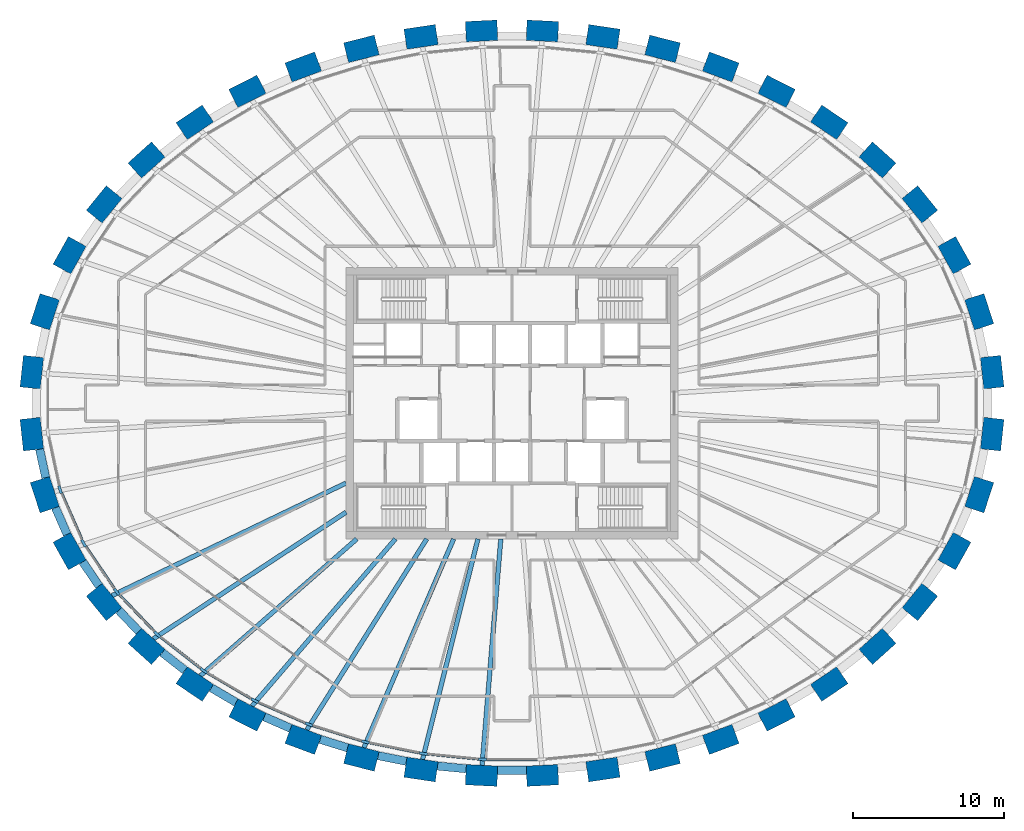
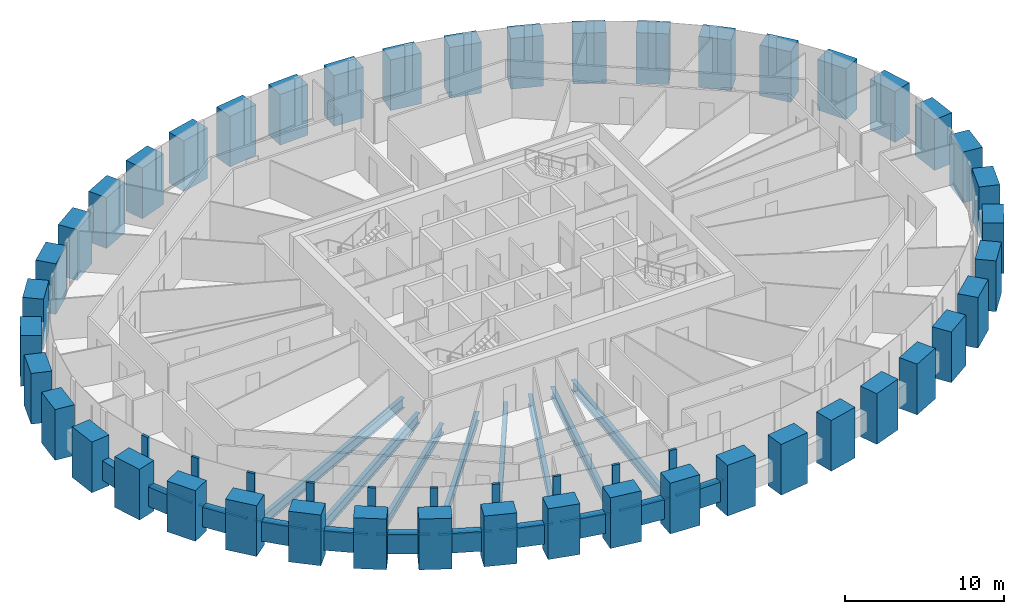
# One storey, part 1 of 12: 44 columns, 20 members, 19 beams, 1 element without a shape of its own.
"""IFC4 building model written with IfcOpenShell, lengths in metres."""

import ifcopenshell
import ifcopenshell.guid

model = None  # the IFC model being written
_history = None  # IfcOwnerHistory: only IFC2X3 demands one
_inside = {}  # id of a spatial element -> (the spatial element, [elements in it])
_under = {}  # id of a project, library or spatial element -> (it, [spatial elements below it])
_declared = {}  # id of a project -> (the project, [libraries it declares])
_typed = {}  # id of a type object -> (the type object, [elements of that type])
_made_of = {}  # id of a material, layer set ... -> (it, [elements and type objects made of it])


def new_model(schema):
    """Start an empty IFC model of exactly this schema.

    Asked for "IFC4X3", IfcOpenShell would pick the latest addendum, in which some entities
    have other attributes; the version numbers below select the first issue.
    IFC2X3 requires an IfcOwnerHistory on every rooted entity: one is made here for all.
    """
    global model, _history
    if schema == "IFC4X3":
        model = ifcopenshell.file(schema_version=(4, 3, 0, 0))
    else:
        model = ifcopenshell.file(schema=schema)
    _inside.clear()
    _under.clear()
    _declared.clear()
    _typed.clear()
    _made_of.clear()
    _history = None
    if model.schema == "IFC2X3":
        org = make("IfcOrganization", Name="unknown")
        user = make(
            "IfcPersonAndOrganization",
            ThePerson=make("IfcPerson", FamilyName="unknown"),
            TheOrganization=org,
        )
        app = make(
            "IfcApplication",
            ApplicationDeveloper=org,
            Version="unknown",
            ApplicationFullName="unknown",
            ApplicationIdentifier="unknown",
        )
        _history = make(
            "IfcOwnerHistory",
            OwningUser=user,
            OwningApplication=app,
            ChangeAction="ADDED",
            CreationDate=0,
        )
    return model


def make(cls, **values):
    """One entity of the class cls with the attributes given. An attribute that is None is left unset."""
    return model.create_entity(
        cls, **{name: value for name, value in values.items() if value is not None}
    )


def rooted(cls, **values):
    """An entity with a GlobalId (a new one), such as an element, a storey or a relation."""
    return make(cls, GlobalId=ifcopenshell.guid.new(), OwnerHistory=_history, **values)


def si_unit(unit_type, name, prefix=None):
    """IfcSIUnit, for example si_unit("LENGTHUNIT", "METRE", prefix="MILLI")."""
    return make("IfcSIUnit", UnitType=unit_type, Prefix=prefix, Name=name)


def assignment(units):
    """IfcUnitAssignment: the units of a project."""
    return None if units is None else make("IfcUnitAssignment", Units=units)


def point(xyz):
    """IfcCartesianPoint."""
    return None if xyz is None else make("IfcCartesianPoint", Coordinates=xyz)


def direction(xyz):
    """IfcDirection."""
    return None if xyz is None else make("IfcDirection", DirectionRatios=xyz)


def frame(location, z_axis=None, x_axis=None):
    """IfcAxis2Placement3D, a coordinate frame: its origin and axes. An axis left out is left unset."""
    return make(
        "IfcAxis2Placement3D",
        Location=point(location),
        Axis=direction(z_axis),
        RefDirection=direction(x_axis),
    )


def frame_2d(location, x_axis=None):
    """IfcAxis2Placement2D, a coordinate frame in the plane: its origin and x axis."""
    return make(
        "IfcAxis2Placement2D", Location=point(location), RefDirection=direction(x_axis)
    )


def origin():
    """The frame at (0, 0, 0) with its axes left unset."""
    return frame((0.0, 0.0, 0.0))


def origin_2d():
    """The frame at (0, 0) in the plane with its x axis left unset."""
    return frame_2d((0.0, 0.0))


def place(relative_to, where):
    """IfcLocalPlacement: puts the frame where relative to a parent placement (None: the world)."""
    return make(
        "IfcLocalPlacement", PlacementRelTo=relative_to, RelativePlacement=where
    )


def context(
    kind, dimensions, precision=None, world=None, true_north=None, identifier=None
):
    """IfcGeometricRepresentationContext, for example the 3D "Model" context."""
    return make(
        "IfcGeometricRepresentationContext",
        ContextIdentifier=identifier,
        ContextType=kind,
        CoordinateSpaceDimension=dimensions,
        Precision=precision,
        WorldCoordinateSystem=world,
        TrueNorth=true_north,
    )


def subcontext(parent, identifier, kind, view, scale=None):
    """IfcGeometricRepresentationSubContext, for example "Body" below "Model"."""
    return make(
        "IfcGeometricRepresentationSubContext",
        ContextIdentifier=identifier,
        ContextType=kind,
        ParentContext=parent,
        TargetScale=scale,
        TargetView=view,
    )


def project(units=None, contexts=None):
    """IfcProject with its units and contexts."""
    return rooted(
        "IfcProject",
        Name="project",
        RepresentationContexts=contexts,
        UnitsInContext=assignment(units),
    )


def spatial(cls, under=None, at=None, **own):
    """A site, building, storey or space (cls), placed at a placement, below another one or the project."""
    s = rooted(cls, ObjectPlacement=at, **own)
    if under is not None:
        _under.setdefault(under.id(), (under, []))[1].append(s)
    return s


def profile(cls, at=None, kind="AREA", **sizes):
    """A parametric profile (cls). Its sizes go by their IFC names, for example OverallWidth=200.0."""
    return make(cls, ProfileType=kind, Position=at, **sizes)


def rectangle(**sizes):
    """IfcRectangleProfileDef."""
    return profile("IfcRectangleProfileDef", **sizes)


def i_section(**sizes):
    """IfcIShapeProfileDef."""
    return profile("IfcIShapeProfileDef", **sizes)


def extrude(swept, where, along, depth):
    """IfcExtrudedAreaSolid: the profile swept, set in the frame where, extruded along a direction by depth."""
    return make(
        "IfcExtrudedAreaSolid",
        SweptArea=swept,
        Position=where,
        ExtrudedDirection=direction(along),
        Depth=depth,
    )


def shape(context_of_items, identifier, shape_type, items):
    """IfcShapeRepresentation: the items that make up one representation, for example the "Body"."""
    return make(
        "IfcShapeRepresentation",
        ContextOfItems=context_of_items,
        RepresentationIdentifier=identifier,
        RepresentationType=shape_type,
        Items=items,
    )


def source(mapping_origin, context_of_items, identifier, shape_type, items):
    """IfcRepresentationMap: a shape defined once, which mapped items show again and again."""
    return make(
        "IfcRepresentationMap",
        MappingOrigin=mapping_origin,
        MappedRepresentation=shape(context_of_items, identifier, shape_type, items),
    )


def transform(
    local_origin,
    x_axis=None,
    y_axis=None,
    z_axis=None,
    scale=None,
    scale2=None,
    scale3=None,
    uniform=True,
):
    """IfcCartesianTransformationOperator3D, or its non-uniform kind. x_axis, y_axis, z_axis: its Axis1, 2, 3."""
    if uniform:
        return make(
            "IfcCartesianTransformationOperator3D",
            Axis1=direction(x_axis),
            Axis2=direction(y_axis),
            LocalOrigin=point(local_origin),
            Scale=scale,
            Axis3=direction(z_axis),
        )
    return make(
        "IfcCartesianTransformationOperator3DnonUniform",
        Axis1=direction(x_axis),
        Axis2=direction(y_axis),
        LocalOrigin=point(local_origin),
        Scale=scale,
        Axis3=direction(z_axis),
        Scale2=scale2,
        Scale3=scale3,
    )


def mapped(mapping_source, mapping_target):
    """IfcMappedItem: shows the shape of a source again, moved by a transform."""
    return make(
        "IfcMappedItem", MappingSource=mapping_source, MappingTarget=mapping_target
    )


def material(Name=None, Category=None):
    """IfcMaterial."""
    return make("IfcMaterial", Name=Name, Category=Category)


def material_profile(
    of_material, cross_section, Name=None, Category=None, Priority=None
):
    """IfcMaterialProfile: a cross section and its material."""
    return make(
        "IfcMaterialProfile",
        Name=Name,
        Material=of_material,
        Profile=cross_section,
        Priority=Priority,
        Category=Category,
    )


def profile_set(profiles, Name=None, composite=None):
    """IfcMaterialProfileSet."""
    return make(
        "IfcMaterialProfileSet",
        Name=Name,
        MaterialProfiles=profiles,
        CompositeProfile=composite,
    )


def made_of(thing, what):
    """Note that an element or type object is made of a material, layer set ...; save() writes the relation."""
    if what is not None:
        _made_of.setdefault(what.id(), (what, []))[1].append(thing)
    return thing


def type_object(cls, material=None, **own):
    """A type object (cls), such as IfcWallType, which elements share."""
    return made_of(rooted(cls, **own), material)


def element(
    cls,
    number,
    at=None,
    inside=None,
    cuts=None,
    type_object=None,
    material=None,
    context=None,
    identifier="Body",
    shape_type=None,
    held_by="IfcProductDefinitionShape",
    body=None,
    shapes=None,
    **own,
):
    """One element of the class cls, such as IfcWall. Its Tag is "e" and its number.

    at: its placement. inside: the storey or other place that contains it. cuts: it is an
    opening in that element (IfcRelVoidsElement). A single representation is given by context,
    identifier, shape_type and body (its items); several are given by shapes. held_by: the class
    of the entity that holds the representations. save() writes the other relations.
    """
    e = rooted(cls, Tag="e%d" % number, ObjectPlacement=at, **own)
    if body is not None:
        shapes = [shape(context, identifier, shape_type, body)]
    if shapes is not None:
        e.Representation = make(held_by, Representations=shapes)
    if inside is not None:
        _inside.setdefault(inside.id(), (inside, []))[1].append(e)
    if cuts is not None:
        rooted(
            "IfcRelVoidsElement", RelatingBuildingElement=cuts, RelatedOpeningElement=e
        )
    if type_object is not None:
        _typed.setdefault(type_object.id(), (type_object, []))[1].append(e)
    return made_of(e, material)


def aggregate(whole, parts):
    """IfcRelAggregates: a whole, such as a stair, and the parts it consists of."""
    return rooted("IfcRelAggregates", RelatingObject=whole, RelatedObjects=parts)


def save(model, path):
    """Write the relations noted so far, then the file.

    IfcRelAggregates (storeys below a building ...), IfcRelContainedInSpatialStructure (elements
    in a storey), IfcRelDefinesByType, IfcRelAssociatesMaterial and IfcRelDeclares: one each for
    every whole, place, type object, material and project.
    """
    for whole, parts in _under.values():
        aggregate(whole, parts)
    for where, things in _inside.values():
        rooted(
            "IfcRelContainedInSpatialStructure",
            RelatedElements=things,
            RelatingStructure=where,
        )
    for kind, things in _typed.values():
        rooted("IfcRelDefinesByType", RelatedObjects=things, RelatingType=kind)
    for what, things in _made_of.values():
        rooted("IfcRelAssociatesMaterial", RelatedObjects=things, RelatingMaterial=what)
    for by, libraries in _declared.values():
        rooted("IfcRelDeclares", RelatingContext=by, RelatedDefinitions=libraries)
    model.write(path)


model = new_model("IFC4")

# Units and contexts
model_context = context("Model", 3, precision=1e-05, world=origin(), true_north=direction((0.0, 1.0)))
body_context = subcontext(model_context, "Body", "Model", "MODEL_VIEW")
ifc_project = project(units=[si_unit("LENGTHUNIT", "METRE"), si_unit("AREAUNIT", "SQUARE_METRE"), si_unit("VOLUMEUNIT", "CUBIC_METRE"), si_unit("PLANEANGLEUNIT", "RADIAN"), si_unit("MASSUNIT", "GRAM", prefix="KILO")], contexts=[model_context])

# Site, building, storey
site_placement = place(None, origin())
site = spatial("IfcSite", under=ifc_project, at=site_placement, CompositionType="ELEMENT")
building_placement = place(site_placement, origin())
building = spatial("IfcBuilding", under=site, at=building_placement, Name="Embergate Tower", CompositionType="ELEMENT")
storey_placement = place(building_placement, frame((0.0, 0.0, 281.199951171875)))
storey = spatial("IfcBuildingStorey", under=building, at=storey_placement, Name="L65", CompositionType="ELEMENT", Elevation=281.199951171875)

# Columns
ifc_material_1 = material(Name="Concrete C60", Category="concrete")
ifc_material_profile_1 = material_profile(ifc_material_1, rectangle(XDim=1.35009765625, YDim=2.10009765625, at=origin_2d()), Name="RC 1350x2100")
ifc_profile_set_1 = profile_set([ifc_material_profile_1], Name="Concrete C60")
column_type = type_object("IfcColumnType", Name="Ring column RC 1350x2100 C60", PredefinedType="COLUMN", material=ifc_profile_set_1)
shared_shape_1 = source(origin(), body_context, "Body", "SweptSolid", [
    extrude(rectangle(XDim=1.35009765625, YDim=2.10009765625, at=origin_2d()), origin(), (0.0, 0.0, 1.0), 3.89990234375),
])
for number, where, z_axis, x_axis, name in (
    (1, (31.837890625, 2.052001953125, -1.39990234375), (0.0, 0.0, 1.0), (0.99428589498, 0.106749983816, 0.0), "COL-L65-00"),
    (2, (30.97607421875, 6.06103515625, -1.39990234375), (0.0, 0.0, 1.0), (0.950754033697, 0.309946394413, 0.0), "COL-L65-01"),
    (3, (29.33203125, 9.80810546875, -1.39990234375), (0.0, 0.0, 1.0), (0.873491969053, 0.486838556403, 0.0), "COL-L65-02"),
    (4, (27.0390625, 13.180908203125, -1.39990234375), (0.0, 0.0, 1.0), (0.775914301615, 0.630838328377, 0.0), "COL-L65-03"),
    (5, (24.23095703125, 16.125, -1.39990234375), (0.0, 0.0, 1.0), (0.669208424634, 0.74307475021, 0.0), "COL-L65-04"),
    (6, (21.032958984375, 18.6220703125, -1.39990234375), (0.0, 0.0, 1.0), (0.560393279442, 0.828226643109, 0.0), "COL-L65-05"),
    (7, (17.54296875, 20.674072265625, -1.39990234375), (0.0, 0.0, 1.0), (0.452994952881, 0.891513080478, 0.0), "COL-L65-06"),
    (8, (13.839111328125, 22.29296875, -1.39990234375), (0.0, 0.0, 1.0), (0.348343015724, 0.93736713373, 0.0), "COL-L65-07"),
    (9, (9.98388671875, 23.493896484375, -1.39990234375), (0.0, 0.0, 1.0), (0.246491603437, 0.969144926951, 0.0), "COL-L65-08"),
    (10, (6.029052734375, 24.287109375, -1.39990234375), (0.0, 0.0, 1.0), (0.146929011949, 0.989147039346, 0.0), "COL-L65-09"),
    (11, (2.01611328125, 24.681884765625, -1.39990234375), (0.0, 0.0, 1.0), (0.048814904854, 0.998807841912, 0.0), "COL-L65-10"),
    (12, (-2.01611328125, 24.681884765625, -1.39990234375), (0.0, 0.0, 1.0), (-0.048814904854, 0.998807841912, 0.0), "COL-L65-11"),
    (13, (-6.029052734375, 24.287109375, -1.39990234375), (0.0, 0.0, 1.0), (-0.146929011949, 0.989147039346, 0.0), "COL-L65-12"),
    (14, (-9.98388671875, 23.493896484375, -1.39990234375), (0.0, 0.0, 1.0), (-0.246491603437, 0.969144926951, 0.0), "COL-L65-13"),
    (15, (-13.839111328125, 22.29296875, -1.39990234375), (0.0, 0.0, 1.0), (-0.348343015724, 0.93736713373, 0.0), "COL-L65-14"),
    (16, (-17.54296875, 20.674072265625, -1.39990234375), (0.0, 0.0, 1.0), (-0.452994952881, 0.891513080478, 0.0), "COL-L65-15"),
    (17, (-21.032958984375, 18.6220703125, -1.39990234375), (0.0, 0.0, 1.0), (-0.560393279442, 0.828226643109, 0.0), "COL-L65-16"),
    (18, (-24.23095703125, 16.125, -1.39990234375), (0.0, 0.0, 1.0), (-0.669208424634, 0.74307475021, 0.0), "COL-L65-17"),
    (19, (-27.0390625, 13.180908203125, -1.39990234375), (0.0, 0.0, 1.0), (-0.775914301615, 0.630838328377, 0.0), "COL-L65-18"),
    (20, (-29.33203125, 9.80810546875, -1.39990234375), (0.0, 0.0, 1.0), (-0.873491969053, 0.486838556403, 0.0), "COL-L65-19"),
    (21, (-30.97607421875, 6.06103515625, -1.39990234375), (0.0, 0.0, 1.0), (-0.950754033697, 0.309946394413, 0.0), "COL-L65-20"),
    (22, (-31.837890625, 2.052001953125, -1.39990234375), (0.0, 0.0, 1.0), (-0.99428589498, 0.106749983816, 0.0), "COL-L65-21"),
    (23, (-31.837890625, -2.052001953125, -1.39990234375), (0.0, 0.0, 1.0), (-0.99428589498, -0.106749983816, 0.0), "COL-L65-22"),
    (24, (-30.97607421875, -6.06103515625, -1.39990234375), (0.0, 0.0, 1.0), (-0.950754033697, -0.309946394413, 0.0), "COL-L65-23"),
    (25, (-29.33203125, -9.80810546875, -1.39990234375), (0.0, 0.0, 1.0), (-0.873491969053, -0.486838556403, 0.0), "COL-L65-24"),
    (26, (-27.0390625, -13.180908203125, -1.39990234375), (0.0, 0.0, 1.0), (-0.775914301615, -0.630838328377, 0.0), "COL-L65-25"),
    (27, (-24.23095703125, -16.125, -1.39990234375), (0.0, 0.0, 1.0), (-0.669208424634, -0.74307475021, 0.0), "COL-L65-26"),
    (28, (-21.032958984375, -18.6220703125, -1.39990234375), (0.0, 0.0, 1.0), (-0.560393279442, -0.828226643109, 0.0), "COL-L65-27"),
    (29, (-17.54296875, -20.674072265625, -1.39990234375), (0.0, 0.0, 1.0), (-0.452994952881, -0.891513080478, 0.0), "COL-L65-28"),
    (30, (-13.839111328125, -22.29296875, -1.39990234375), (0.0, 0.0, 1.0), (-0.348343015724, -0.93736713373, 0.0), "COL-L65-29"),
    (31, (-9.98388671875, -23.493896484375, -1.39990234375), (0.0, 0.0, 1.0), (-0.246491603437, -0.969144926951, 0.0), "COL-L65-30"),
    (32, (-6.029052734375, -24.287109375, -1.39990234375), (0.0, 0.0, 1.0), (-0.146929011949, -0.989147039346, 0.0), "COL-L65-31"),
    (33, (-2.01611328125, -24.681884765625, -1.39990234375), (0.0, 0.0, 1.0), (-0.048814904854, -0.998807841912, 0.0), "COL-L65-32"),
    (34, (2.01611328125, -24.681884765625, -1.39990234375), (0.0, 0.0, 1.0), (0.048814904854, -0.998807841912, 0.0), "COL-L65-33"),
    (35, (6.029052734375, -24.287109375, -1.39990234375), (0.0, 0.0, 1.0), (0.146929011949, -0.989147039346, 0.0), "COL-L65-34"),
    (36, (9.98388671875, -23.493896484375, -1.39990234375), (0.0, 0.0, 1.0), (0.246491603437, -0.969144926951, 0.0), "COL-L65-35"),
    (37, (13.839111328125, -22.29296875, -1.39990234375), (0.0, 0.0, 1.0), (0.348343015724, -0.93736713373, 0.0), "COL-L65-36"),
    (38, (17.54296875, -20.674072265625, -1.39990234375), (0.0, 0.0, 1.0), (0.452994952881, -0.891513080478, 0.0), "COL-L65-37"),
    (39, (21.032958984375, -18.6220703125, -1.39990234375), (0.0, 0.0, 1.0), (0.560393279442, -0.828226643109, 0.0), "COL-L65-38"),
    (40, (24.23095703125, -16.125, -1.39990234375), (0.0, 0.0, 1.0), (0.669208424634, -0.74307475021, 0.0), "COL-L65-39"),
    (41, (27.0390625, -13.180908203125, -1.39990234375), (0.0, 0.0, 1.0), (0.775914301615, -0.630838328377, 0.0), "COL-L65-40"),
    (42, (29.33203125, -9.80810546875, -1.39990234375), (0.0, 0.0, 1.0), (0.873491969053, -0.486838556403, 0.0), "COL-L65-41"),
    (43, (30.97607421875, -6.06103515625, -1.39990234375), (0.0, 0.0, 1.0), (0.950754033697, -0.309946394413, 0.0), "COL-L65-42"),
    (44, (31.837890625, -2.052001953125, -1.39990234375), (0.0, 0.0, 1.0), (0.99428589498, -0.106749983816, 0.0), "COL-L65-43"),
):
    element("IfcColumn", number, at=place(storey_placement, frame(where, z_axis=z_axis, x_axis=x_axis)), inside=storey, type_object=column_type, Name=name, PredefinedType="COLUMN", context=body_context, shape_type="MappedRepresentation", body=[
        mapped(shared_shape_1, transform((0.0, 0.0, 0.0))),
    ])

# Beams
ifc_material_profile_2 = material_profile(ifc_material_1, rectangle(XDim=0.550048828125, YDim=1.5, at=origin_2d()), Name="RC 550x1500")
ifc_profile_set_2 = profile_set([ifc_material_profile_2], Name="Concrete C60")
beam_type_1 = type_object("IfcBeamType", Name="Spandrel beam RC 550x1500 C60", PredefinedType="BEAM", material=ifc_profile_set_2)
shared_shape_2 = source(origin(), body_context, "Body", "SweptSolid", [
    extrude(rectangle(XDim=0.550048828125, YDim=1.5, at=origin_2d()), origin(), (0.0, 0.0, 1.0), 1.927978515625),
])
beam_1_placement = place(storey_placement, frame((-31.320068359375, -3.052001953125, 0.0), z_axis=(0.210073860291, -0.97768551857, 0.0), x_axis=(0.97768551857, 0.210073860291, 0.0)))
element("IfcBeam", 45, at=beam_1_placement, inside=storey, type_object=beam_type_1, Name="SPN-L65-22", PredefinedType="BEAM", context=body_context, shape_type="MappedRepresentation", body=[
    mapped(shared_shape_2, transform((0.0, 0.0, 0.0))),
])
shared_shape_3 = source(origin(), body_context, "Body", "SweptSolid", [
    extrude(rectangle(XDim=0.550048828125, YDim=1.5, at=origin_2d()), origin(), (0.0, 0.0, 1.0), 1.924560546875),
])
beam_2_placement = place(storey_placement, frame((-30.26904296875, -6.93505859375, 0.0), z_axis=(0.402156084764, -0.91557112421, 0.0), x_axis=(0.91557112421, 0.402156084764, 0.0)))
element("IfcBeam", 46, at=beam_2_placement, inside=storey, type_object=beam_type_1, Name="SPN-L65-23", PredefinedType="BEAM", context=body_context, shape_type="MappedRepresentation", body=[
    mapped(shared_shape_3, transform((0.0, 0.0, 0.0))),
])
shared_shape_4 = source(origin(), body_context, "Body", "SweptSolid", [
    extrude(rectangle(XDim=0.550048828125, YDim=1.5, at=origin_2d()), origin(), (0.0, 0.0, 1.0), 1.91455078125),
])
beam_3_placement = place(storey_placement, frame((-28.4609375, -10.52490234375, 0.0), z_axis=(0.562473939822, -0.826815013785, 0.0), x_axis=(0.826815013785, 0.562473939822, 0.0)))
element("IfcBeam", 47, at=beam_3_placement, inside=storey, type_object=beam_type_1, Name="SPN-L65-24", PredefinedType="BEAM", context=body_context, shape_type="MappedRepresentation", body=[
    mapped(shared_shape_4, transform((0.0, 0.0, 0.0))),
])
shared_shape_5 = source(origin(), body_context, "Body", "SweptSolid", [
    extrude(rectangle(XDim=0.550048828125, YDim=1.5, at=origin_2d()), origin(), (0.0, 0.0, 1.0), 1.913330078125),
])
beam_4_placement = place(storey_placement, frame((-26.06494140625, -13.741943359375, 0.0), z_axis=(0.690454502374, -0.723375822206, 0.0), x_axis=(0.723375822206, 0.690454502374, 0.0)))
element("IfcBeam", 48, at=beam_4_placement, inside=storey, type_object=beam_type_1, Name="SPN-L65-25", PredefinedType="BEAM", context=body_context, shape_type="MappedRepresentation", body=[
    mapped(shared_shape_5, transform((0.0, 0.0, 0.0))),
])
shared_shape_6 = source(origin(), body_context, "Body", "SweptSolid", [
    extrude(rectangle(XDim=0.550048828125, YDim=1.5, at=origin_2d()), origin(), (0.0, 0.0, 1.0), 1.907958984375),
])
beam_5_placement = place(storey_placement, frame((-23.18798828125, -16.535888671875, 0.0), z_axis=(0.788241602778, -0.615365887623, 0.0), x_axis=(0.615365887623, 0.788241602778, 0.0)))
element("IfcBeam", 49, at=beam_5_placement, inside=storey, type_object=beam_type_1, Name="SPN-L65-26", PredefinedType="BEAM", context=body_context, shape_type="MappedRepresentation", body=[
    mapped(shared_shape_6, transform((0.0, 0.0, 0.0))),
])
shared_shape_7 = source(origin(), body_context, "Body", "SweptSolid", [
    extrude(rectangle(XDim=0.550048828125, YDim=1.5, at=origin_2d()), origin(), (0.0, 0.0, 1.0), 1.90234375),
])
beam_6_placement = place(storey_placement, frame((-19.93603515625, -18.8740234375, 0.0), z_axis=(0.862145280572, -0.506661144343, 0.0), x_axis=(0.506661144343, 0.862145280572, 0.0)))
element("IfcBeam", 50, at=beam_6_placement, inside=storey, type_object=beam_type_1, Name="SPN-L65-27", PredefinedType="BEAM", context=body_context, shape_type="MappedRepresentation", body=[
    mapped(shared_shape_7, transform((0.0, 0.0, 0.0))),
])
shared_shape_8 = source(origin(), body_context, "Body", "SweptSolid", [
    extrude(rectangle(XDim=0.550048828125, YDim=1.5, at=origin_2d()), origin(), (0.0, 0.0, 1.0), 1.89990234375),
])
beam_7_placement = place(storey_placement, frame((-16.425048828125, -20.79296875, 0.0), z_axis=(0.916289991501, -0.400515482192, 0.0), x_axis=(0.400515482192, 0.916289991501, 0.0)))
element("IfcBeam", 51, at=beam_7_placement, inside=storey, type_object=beam_type_1, Name="SPN-L65-28", PredefinedType="BEAM", context=body_context, shape_type="MappedRepresentation", body=[
    mapped(shared_shape_8, transform((0.0, 0.0, 0.0))),
])
shared_shape_9 = source(origin(), body_context, "Body", "SweptSolid", [
    extrude(rectangle(XDim=0.550048828125, YDim=1.5, at=origin_2d()), origin(), (0.0, 0.0, 1.0), 1.898681640625),
])
beam_8_placement = place(storey_placement, frame((-12.717041015625, -22.2880859375, 0.0), z_axis=(0.954868123024, -0.297030078667, 0.0), x_axis=(0.297030078667, 0.954868123024, 0.0)))
element("IfcBeam", 52, at=beam_8_placement, inside=storey, type_object=beam_type_1, Name="SPN-L65-29", PredefinedType="BEAM", context=body_context, shape_type="MappedRepresentation", body=[
    mapped(shared_shape_9, transform((0.0, 0.0, 0.0))),
])
shared_shape_10 = source(origin(), body_context, "Body", "SweptSolid", [
    extrude(rectangle(XDim=0.550048828125, YDim=1.5, at=origin_2d()), origin(), (0.0, 0.0, 1.0), 1.895751953125),
])
beam_9_placement = place(storey_placement, frame((-8.868896484375, -23.3720703125, 0.0), z_axis=(0.980575722075, -0.196140901592, 0.0), x_axis=(0.196140901592, 0.980575722075, 0.0)))
element("IfcBeam", 53, at=beam_9_placement, inside=storey, type_object=beam_type_1, Name="SPN-L65-30", PredefinedType="BEAM", context=body_context, shape_type="MappedRepresentation", body=[
    mapped(shared_shape_10, transform((0.0, 0.0, 0.0))),
])
shared_shape_11 = source(origin(), body_context, "Body", "SweptSolid", [
    extrude(rectangle(XDim=0.550048828125, YDim=1.5, at=origin_2d()), origin(), (0.0, 0.0, 1.0), 1.896240234375),
])
beam_10_placement = place(storey_placement, frame((-4.93310546875, -24.053955078125, 0.0), z_axis=(0.995176416472, -0.098101478571, 0.0), x_axis=(0.098101478571, 0.995176416472, 0.0)))
element("IfcBeam", 54, at=beam_10_placement, inside=storey, type_object=beam_type_1, Name="SPN-L65-31", PredefinedType="BEAM", context=body_context, shape_type="MappedRepresentation", body=[
    mapped(shared_shape_11, transform((0.0, 0.0, 0.0))),
])
shared_shape_12 = source(origin(), body_context, "Body", "SweptSolid", [
    extrude(rectangle(XDim=0.550048828125, YDim=1.5, at=origin_2d()), origin(), (0.0, 0.0, 1.0), 1.89599609375),
])
beam_11_placement = place(storey_placement, frame((-0.947998046875, -24.343017578125, 0.0), z_axis=(1.0, 0.0, 0.0), x_axis=(0.0, 1.0, 0.0)))
element("IfcBeam", 55, at=beam_11_placement, inside=storey, type_object=beam_type_1, Name="SPN-L65-32", PredefinedType="BEAM", context=body_context, shape_type="MappedRepresentation", body=[
    mapped(shared_shape_12, transform((0.0, 0.0, 0.0))),
])
ifc_material_2 = material(Name="Steel Q355B", Category="steel")
ifc_material_profile_3 = material_profile(ifc_material_2, i_section(OverallWidth=0.300048828125, OverallDepth=0.800048828125, WebThickness=0.013916015625, FlangeThickness=0.02587890625, FilletRadius=0.028076171875, at=origin_2d()), Name="HN 800x300x14x26")
ifc_profile_set_3 = profile_set([ifc_material_profile_3], Name="Steel Q355 grade B")
beam_type_2 = type_object("IfcBeamType", Name="Radial girder HN 800x300x14x26", PredefinedType="BEAM", material=ifc_profile_set_3)
shared_shape_13 = source(origin(), body_context, "Body", "SweptSolid", [
    extrude(i_section(OverallWidth=0.300048828125, OverallDepth=0.800048828125, WebThickness=0.013916015625, FlangeThickness=0.02587890625, FilletRadius=0.028076171875, at=origin_2d()), origin(), (0.0, 0.0, 1.0), 17.216552734375),
])
beam_12_placement = place(storey_placement, frame((-26.514892578125, -12.7548828125, -0.599853515625), z_axis=(0.90116604055, 0.433474067689, 0.0), x_axis=(-0.433474067689, 0.90116604055, 0.0)))
element("IfcBeam", 56, at=beam_12_placement, inside=storey, type_object=beam_type_2, Name="GIR-L65-25", PredefinedType="BEAM", context=body_context, shape_type="MappedRepresentation", body=[
    mapped(shared_shape_13, transform((0.0, 0.0, 0.0))),
])
shared_shape_14 = source(origin(), body_context, "Body", "SweptSolid", [
    extrude(i_section(OverallWidth=0.300048828125, OverallDepth=0.800048828125, WebThickness=0.013916015625, FlangeThickness=0.02587890625, FilletRadius=0.028076171875, at=origin_2d()), origin(), (0.0, 0.0, 1.0), 15.29052734375),
])
beam_13_placement = place(storey_placement, frame((-23.779052734375, -15.623046875, -0.599853515625), z_axis=(0.835755516173, 0.549101736645, 0.0), x_axis=(-0.549101736645, 0.835755516173, 0.0)))
element("IfcBeam", 57, at=beam_13_placement, inside=storey, type_object=beam_type_2, Name="GIR-L65-26", PredefinedType="BEAM", context=body_context, shape_type="MappedRepresentation", body=[
    mapped(shared_shape_14, transform((0.0, 0.0, 0.0))),
])
ifc_material_profile_4 = material_profile(ifc_material_2, i_section(OverallWidth=0.300048828125, OverallDepth=0.699951171875, WebThickness=0.012939453125, FlangeThickness=0.02392578125, FilletRadius=0.01806640625, at=origin_2d()), Name="HN 700x300x13x24")
ifc_profile_set_4 = profile_set([ifc_material_profile_4], Name="Steel Q355 grade B")
beam_type_3 = type_object("IfcBeamType", Name="Radial girder HN 700x300x13x24", PredefinedType="BEAM", material=ifc_profile_set_4)
shared_shape_15 = source(origin(), body_context, "Body", "SweptSolid", [
    extrude(i_section(OverallWidth=0.300048828125, OverallDepth=0.699951171875, WebThickness=0.012939453125, FlangeThickness=0.02392578125, FilletRadius=0.01806640625, at=origin_2d()), origin(), (0.0, 0.0, 1.0), 13.767822265625),
])
beam_14_placement = place(storey_placement, frame((-20.655029296875, -18.06298828125, -0.550048828125), z_axis=(0.752775487565, 0.658277346809, 0.0), x_axis=(-0.658277346809, 0.752775487565, 0.0)))
element("IfcBeam", 58, at=beam_14_placement, inside=storey, type_object=beam_type_3, Name="GIR-L65-27", PredefinedType="BEAM", context=body_context, shape_type="MappedRepresentation", body=[
    mapped(shared_shape_15, transform((0.0, 0.0, 0.0))),
])
shared_shape_16 = source(origin(), body_context, "Body", "SweptSolid", [
    extrude(i_section(OverallWidth=0.300048828125, OverallDepth=0.699951171875, WebThickness=0.012939453125, FlangeThickness=0.02392578125, FilletRadius=0.01806640625, at=origin_2d()), origin(), (0.0, 0.0, 1.0), 14.59423828125),
])
beam_15_placement = place(storey_placement, frame((-17.237060546875, -20.072021484375, -0.550048828125), z_axis=(0.651492316214, 0.758655232575, 0.0), x_axis=(-0.758655232575, 0.651492316214, 0.0)))
element("IfcBeam", 59, at=beam_15_placement, inside=storey, type_object=beam_type_3, Name="GIR-L65-28", PredefinedType="BEAM", context=body_context, shape_type="MappedRepresentation", body=[
    mapped(shared_shape_16, transform((0.0, 0.0, 0.0))),
])
shared_shape_17 = source(origin(), body_context, "Body", "SweptSolid", [
    extrude(i_section(OverallWidth=0.300048828125, OverallDepth=0.699951171875, WebThickness=0.012939453125, FlangeThickness=0.02392578125, FilletRadius=0.01806640625, at=origin_2d()), origin(), (0.0, 0.0, 1.0), 14.94970703125),
])
beam_16_placement = place(storey_placement, frame((-13.60400390625, -21.659912109375, -0.550048828125), z_axis=(0.531848758453, 0.846839357926, 0.0), x_axis=(-0.846839357926, 0.531848758453, 0.0)))
element("IfcBeam", 60, at=beam_16_placement, inside=storey, type_object=beam_type_3, Name="GIR-L65-29", PredefinedType="BEAM", context=body_context, shape_type="MappedRepresentation", body=[
    mapped(shared_shape_17, transform((0.0, 0.0, 0.0))),
])
shared_shape_18 = source(origin(), body_context, "Body", "SweptSolid", [
    extrude(i_section(OverallWidth=0.300048828125, OverallDepth=0.800048828125, WebThickness=0.013916015625, FlangeThickness=0.02587890625, FilletRadius=0.028076171875, at=origin_2d()), origin(), (0.0, 0.0, 1.0), 15.064453125),
])
beam_17_placement = place(storey_placement, frame((-9.818115234375, -22.840087890625, -0.599853515625), z_axis=(0.394914636063, 0.918717818605, 0.0), x_axis=(-0.918717818605, 0.394914636063, 0.0)))
element("IfcBeam", 61, at=beam_17_placement, inside=storey, type_object=beam_type_2, Name="GIR-L65-30", PredefinedType="BEAM", context=body_context, shape_type="MappedRepresentation", body=[
    mapped(shared_shape_18, transform((0.0, 0.0, 0.0))),
])
shared_shape_19 = source(origin(), body_context, "Body", "SweptSolid", [
    extrude(i_section(OverallWidth=0.300048828125, OverallDepth=0.800048828125, WebThickness=0.013916015625, FlangeThickness=0.02587890625, FilletRadius=0.028076171875, at=origin_2d()), origin(), (0.0, 0.0, 1.0), 15.072509765625),
])
beam_18_placement = place(storey_placement, frame((-5.929931640625, -23.618896484375, -0.599853515625), z_axis=(0.243484506306, 0.969904786662, 0.0), x_axis=(-0.969904786662, 0.243484506306, 0.0)))
element("IfcBeam", 62, at=beam_18_placement, inside=storey, type_object=beam_type_2, Name="GIR-L65-31", PredefinedType="BEAM", context=body_context, shape_type="MappedRepresentation", body=[
    mapped(shared_shape_19, transform((0.0, 0.0, 0.0))),
])
shared_shape_20 = source(origin(), body_context, "Body", "SweptSolid", [
    extrude(i_section(OverallWidth=0.300048828125, OverallDepth=0.800048828125, WebThickness=0.013916015625, FlangeThickness=0.02587890625, FilletRadius=0.028076171875, at=origin_2d()), origin(), (0.0, 0.0, 1.0), 15.05908203125),
])
beam_19_placement = place(storey_placement, frame((-1.98291015625, -24.008056640625, -0.599853515625), z_axis=(0.082341072881, 0.996604208157, 0.0), x_axis=(-0.996604208157, 0.082341072881, 0.0)))
element("IfcBeam", 63, at=beam_19_placement, inside=storey, type_object=beam_type_2, Name="GIR-L65-32", PredefinedType="BEAM", context=body_context, shape_type="MappedRepresentation", body=[
    mapped(shared_shape_20, transform((0.0, 0.0, 0.0))),
])

# Curtain wall, members
ifc_material_3 = material(Name="Aluminium and glass", Category="aluminium")
curtain_wall_type = type_object("IfcCurtainWallType", Name="Recessed office glazing", PredefinedType="NOTDEFINED", material=ifc_material_3)
curtain_wall_placement = place(storey_placement, origin())
curtain_wall = element("IfcCurtainWall", 64, at=curtain_wall_placement, inside=storey, type_object=curtain_wall_type, Name="Recessed office glazing ring", ObjectType="RECESSED OFFICE GLAZING", PredefinedType="USERDEFINED")
ifc_material_4 = material(Name="Aluminium, thermally broken", Category="aluminium")
ifc_material_profile_5 = material_profile(ifc_material_4, rectangle(XDim=0.179931640625, YDim=0.52001953125, at=origin_2d()), Name="AL 520x180")
ifc_profile_set_5 = profile_set([ifc_material_profile_5], Name="Aluminium, thermally broken")
member_type_1 = type_object("IfcMemberType", Name="Office mullion", PredefinedType="MULLION", material=ifc_profile_set_5)
shared_shape_21 = source(origin(), body_context, "Body", "SweptSolid", [
    extrude(rectangle(XDim=0.179931640625, YDim=0.52001953125, at=origin_2d()), origin(), (0.0, 0.0, 1.0), 3.699951171875),
])
member_1_placement = place(storey_placement, frame((-29.962890625, -5.73046875, 0.0), z_axis=(0.0, 0.0, 1.0), x_axis=(0.951492965233, 0.307670500881, 0.0)))
member_1 = element("IfcMember", 65, at=member_1_placement, type_object=member_type_1, Name="CW mullion 24", PredefinedType="MULLION", context=body_context, shape_type="MappedRepresentation", body=[
    mapped(shared_shape_21, transform((0.0, 0.0, 0.0))),
])
member_2_placement = place(storey_placement, frame((-28.402099609375, -9.2890625, 0.0), z_axis=(0.0, 0.0, 1.0), x_axis=(0.874992601244, 0.484136290489, 0.0)))
member_2 = element("IfcMember", 66, at=member_2_placement, type_object=member_type_1, Name="CW mullion 25", PredefinedType="MULLION", context=body_context, shape_type="MappedRepresentation", body=[
    mapped(shared_shape_21, transform((0.0, 0.0, 0.0))),
])
member_3_placement = place(storey_placement, frame((-26.212158203125, -12.509521484375, 0.0), z_axis=(0.0, 0.0, 1.0), x_axis=(0.777861596203, 0.628435626897, 0.0)))
member_3 = element("IfcMember", 67, at=member_3_placement, type_object=member_type_1, Name="CW mullion 26", PredefinedType="MULLION", context=body_context, shape_type="MappedRepresentation", body=[
    mapped(shared_shape_21, transform((0.0, 0.0, 0.0))),
])
member_4_placement = place(storey_placement, frame((-23.5185546875, -15.333740234375, 0.0), z_axis=(0.0, 0.0, 1.0), x_axis=(0.671216184057, 0.741261650337, 0.0)))
member_4 = element("IfcMember", 68, at=member_4_placement, type_object=member_type_1, Name="CW mullion 27", PredefinedType="MULLION", context=body_context, shape_type="MappedRepresentation", body=[
    mapped(shared_shape_21, transform((0.0, 0.0, 0.0))),
])
member_5_placement = place(storey_placement, frame((-20.43603515625, -17.73974609375, 0.0), z_axis=(0.0, 0.0, 1.0), x_axis=(0.562207514921, 0.82699619719, 0.0)))
member_5 = element("IfcMember", 69, at=member_5_placement, type_object=member_type_1, Name="CW mullion 28", PredefinedType="MULLION", context=body_context, shape_type="MappedRepresentation", body=[
    mapped(shared_shape_21, transform((0.0, 0.0, 0.0))),
])
member_6_placement = place(storey_placement, frame((-17.06005859375, -19.724365234375, 0.0), z_axis=(0.0, 0.0, 1.0), x_axis=(0.454503607328, 0.89074489666, 0.0)))
member_6 = element("IfcMember", 70, at=member_6_placement, type_object=member_type_1, Name="CW mullion 29", PredefinedType="MULLION", context=body_context, shape_type="MappedRepresentation", body=[
    mapped(shared_shape_21, transform((0.0, 0.0, 0.0))),
])
member_7_placement = place(storey_placement, frame((-13.468017578125, -21.295166015625, 0.0), z_axis=(0.0, 0.0, 1.0), x_axis=(0.349497777064, 0.936937193107, 0.0)))
member_7 = element("IfcMember", 71, at=member_7_placement, type_object=member_type_1, Name="CW mullion 30", PredefinedType="MULLION", context=body_context, shape_type="MappedRepresentation", body=[
    mapped(shared_shape_21, transform((0.0, 0.0, 0.0))),
])
member_8_placement = place(storey_placement, frame((-9.7216796875, -22.4619140625, 0.0), z_axis=(0.0, 0.0, 1.0), x_axis=(0.247308499144, 0.96893679167, 0.0)))
member_8 = element("IfcMember", 72, at=member_8_placement, type_object=member_type_1, Name="CW mullion 31", PredefinedType="MULLION", context=body_context, shape_type="MappedRepresentation", body=[
    mapped(shared_shape_21, transform((0.0, 0.0, 0.0))),
])
member_9_placement = place(storey_placement, frame((-5.872314453125, -23.23388671875, 0.0), z_axis=(0.0, 0.0, 1.0), x_axis=(0.147408930294, 0.989075632735, 0.0)))
member_9 = element("IfcMember", 73, at=member_9_placement, type_object=member_type_1, Name="CW mullion 32", PredefinedType="MULLION", context=body_context, shape_type="MappedRepresentation", body=[
    mapped(shared_shape_21, transform((0.0, 0.0, 0.0))),
])
member_10_placement = place(storey_placement, frame((-1.9638671875, -23.6181640625, 0.0), z_axis=(0.0, 0.0, 1.0), x_axis=(0.048970053385, 0.998800247232, 0.0)))
member_10 = element("IfcMember", 74, at=member_10_placement, type_object=member_type_1, Name="CW mullion 33", PredefinedType="MULLION", context=body_context, shape_type="MappedRepresentation", body=[
    mapped(shared_shape_21, transform((0.0, 0.0, 0.0))),
])
ifc_material_profile_6 = material_profile(ifc_material_4, rectangle(XDim=0.179931640625, YDim=0.14990234375, at=origin_2d()), Name="AL 150x180")
ifc_profile_set_6 = profile_set([ifc_material_profile_6], Name="Aluminium, thermally broken")
member_type_2 = type_object("IfcMemberType", Name="Office sill transom", PredefinedType="USERDEFINED", material=ifc_profile_set_6)
shared_shape_22 = source(origin(), body_context, "Body", "SweptSolid", [
    extrude(rectangle(XDim=0.179931640625, YDim=0.14990234375, at=origin_2d()), origin(), (0.0, 0.0, 1.0), 3.365966796875),
])
member_11_placement = place(storey_placement, frame((-29.8583984375, -5.968505859375, 0.074951171875), z_axis=(0.401617738642, -0.91580739897, 0.0), x_axis=(0.91580739897, 0.401617738642, 0.0)))
member_11 = element("IfcMember", 75, at=member_11_placement, type_object=member_type_2, Name="CW transom 24.1", ObjectType="TRANSOM", PredefinedType="USERDEFINED", context=body_context, shape_type="MappedRepresentation", body=[
    mapped(shared_shape_22, transform((0.0, 0.0, 0.0))),
])
shared_shape_23 = source(origin(), body_context, "Body", "SweptSolid", [
    extrude(rectangle(XDim=0.179931640625, YDim=0.14990234375, at=origin_2d()), origin(), (0.0, 0.0, 1.0), 3.37451171875),
])
member_12_placement = place(storey_placement, frame((-28.256103515625, -9.504150390625, 0.074951171875), z_axis=(0.562373345437, -0.826883438183, 0.0), x_axis=(0.826883438183, 0.562373345437, 0.0)))
member_12 = element("IfcMember", 76, at=member_12_placement, type_object=member_type_2, Name="CW transom 25.1", ObjectType="TRANSOM", PredefinedType="USERDEFINED", context=body_context, shape_type="MappedRepresentation", body=[
    mapped(shared_shape_23, transform((0.0, 0.0, 0.0))),
])
shared_shape_24 = source(origin(), body_context, "Body", "SweptSolid", [
    extrude(rectangle(XDim=0.179931640625, YDim=0.14990234375, at=origin_2d()), origin(), (0.0, 0.0, 1.0), 3.383056640625),
])
member_13_placement = place(storey_placement, frame((-26.03271484375, -12.697509765625, 0.074951171875), z_axis=(0.690128955737, -0.723686413064, 0.0), x_axis=(0.723686413064, 0.690128955737, 0.0)))
member_13 = element("IfcMember", 77, at=member_13_placement, type_object=member_type_2, Name="CW transom 26.1", ObjectType="TRANSOM", PredefinedType="USERDEFINED", context=body_context, shape_type="MappedRepresentation", body=[
    mapped(shared_shape_24, transform((0.0, 0.0, 0.0))),
])
shared_shape_25 = source(origin(), body_context, "Body", "SweptSolid", [
    extrude(rectangle(XDim=0.179931640625, YDim=0.14990234375, at=origin_2d()), origin(), (0.0, 0.0, 1.0), 3.39013671875),
])
member_14_placement = place(storey_placement, frame((-23.313720703125, -15.493896484375, 0.074951171875), z_axis=(0.788350711598, -0.61522610114, 0.0), x_axis=(0.61522610114, 0.788350711598, 0.0)))
member_14 = element("IfcMember", 78, at=member_14_placement, type_object=member_type_2, Name="CW transom 27.1", ObjectType="TRANSOM", PredefinedType="USERDEFINED", context=body_context, shape_type="MappedRepresentation", body=[
    mapped(shared_shape_25, transform((0.0, 0.0, 0.0))),
])
shared_shape_26 = source(origin(), body_context, "Body", "SweptSolid", [
    extrude(rectangle(XDim=0.179931640625, YDim=0.14990234375, at=origin_2d()), origin(), (0.0, 0.0, 1.0), 3.396240234375),
])
member_15_placement = place(storey_placement, frame((-20.2119140625, -17.87158203125, 0.074951171875), z_axis=(0.86206354594, -0.50680020004, 0.0), x_axis=(0.50680020004, 0.86206354594, 0.0)))
member_15 = element("IfcMember", 79, at=member_15_placement, type_object=member_type_2, Name="CW transom 28.1", ObjectType="TRANSOM", PredefinedType="USERDEFINED", context=body_context, shape_type="MappedRepresentation", body=[
    mapped(shared_shape_26, transform((0.0, 0.0, 0.0))),
])
shared_shape_27 = source(origin(), body_context, "Body", "SweptSolid", [
    extrude(rectangle(XDim=0.179931640625, YDim=0.14990234375, at=origin_2d()), origin(), (0.0, 0.0, 1.0), 3.400634765625),
])
member_16_placement = place(storey_placement, frame((-16.822021484375, -19.82861328125, 0.074951171875), z_axis=(0.916246290904, -0.400615444542, 0.0), x_axis=(0.400615444542, 0.916246290904, 0.0)))
member_16 = element("IfcMember", 80, at=member_16_placement, type_object=member_type_2, Name="CW transom 29.1", ObjectType="TRANSOM", PredefinedType="USERDEFINED", context=body_context, shape_type="MappedRepresentation", body=[
    mapped(shared_shape_27, transform((0.0, 0.0, 0.0))),
])
shared_shape_28 = source(origin(), body_context, "Body", "SweptSolid", [
    extrude(rectangle(XDim=0.179931640625, YDim=0.14990234375, at=origin_2d()), origin(), (0.0, 0.0, 1.0), 3.40380859375),
])
member_17_placement = place(storey_placement, frame((-13.2197265625, -21.37255859375, 0.074951171875), z_axis=(0.954785768132, -0.297294697183, 0.0), x_axis=(0.297294697183, 0.954785768132, 0.0)))
member_17 = element("IfcMember", 81, at=member_17_placement, type_object=member_type_2, Name="CW transom 30.1", ObjectType="TRANSOM", PredefinedType="USERDEFINED", context=body_context, shape_type="MappedRepresentation", body=[
    mapped(shared_shape_28, transform((0.0, 0.0, 0.0))),
])
shared_shape_29 = source(origin(), body_context, "Body", "SweptSolid", [
    extrude(rectangle(XDim=0.179931640625, YDim=0.14990234375, at=origin_2d()), origin(), (0.0, 0.0, 1.0), 3.406005859375),
])
member_18_placement = place(storey_placement, frame((-9.466796875, -22.512939453125, 0.074951171875), z_axis=(0.980481303877, -0.196612341292, 0.0), x_axis=(0.196612341292, 0.980481303877, 0.0)))
member_18 = element("IfcMember", 82, at=member_18_placement, type_object=member_type_2, Name="CW transom 31.1", ObjectType="TRANSOM", PredefinedType="USERDEFINED", context=body_context, shape_type="MappedRepresentation", body=[
    mapped(shared_shape_29, transform((0.0, 0.0, 0.0))),
])
shared_shape_30 = source(origin(), body_context, "Body", "SweptSolid", [
    extrude(rectangle(XDim=0.179931640625, YDim=0.14990234375, at=origin_2d()), origin(), (0.0, 0.0, 1.0), 3.4072265625),
])
member_19_placement = place(storey_placement, frame((-5.613525390625, -23.25927734375, 0.074951171875), z_axis=(0.995205303523, -0.097807994766, 0.0), x_axis=(0.097807994766, 0.995205303523, 0.0)))
member_19 = element("IfcMember", 83, at=member_19_placement, type_object=member_type_2, Name="CW transom 32.1", ObjectType="TRANSOM", PredefinedType="USERDEFINED", context=body_context, shape_type="MappedRepresentation", body=[
    mapped(shared_shape_30, transform((0.0, 0.0, 0.0))),
])
shared_shape_31 = source(origin(), body_context, "Body", "SweptSolid", [
    extrude(rectangle(XDim=0.179931640625, YDim=0.14990234375, at=origin_2d()), origin(), (0.0, 0.0, 1.0), 3.40771484375),
])
member_20_placement = place(storey_placement, frame((-1.703857421875, -23.6181640625, 0.074951171875), z_axis=(1.0, 0.0, 0.0), x_axis=(0.0, 1.0, 0.0)))
member_20 = element("IfcMember", 84, at=member_20_placement, type_object=member_type_2, Name="CW transom 33.1", ObjectType="TRANSOM", PredefinedType="USERDEFINED", context=body_context, shape_type="MappedRepresentation", body=[
    mapped(shared_shape_31, transform((0.0, 0.0, 0.0))),
])
aggregate(curtain_wall, [member_1, member_2, member_3, member_4, member_5, member_6, member_7, member_8, member_9, member_10, member_11, member_12, member_13, member_14, member_15, member_16, member_17, member_18, member_19, member_20])

save(model, "model.ifc")
